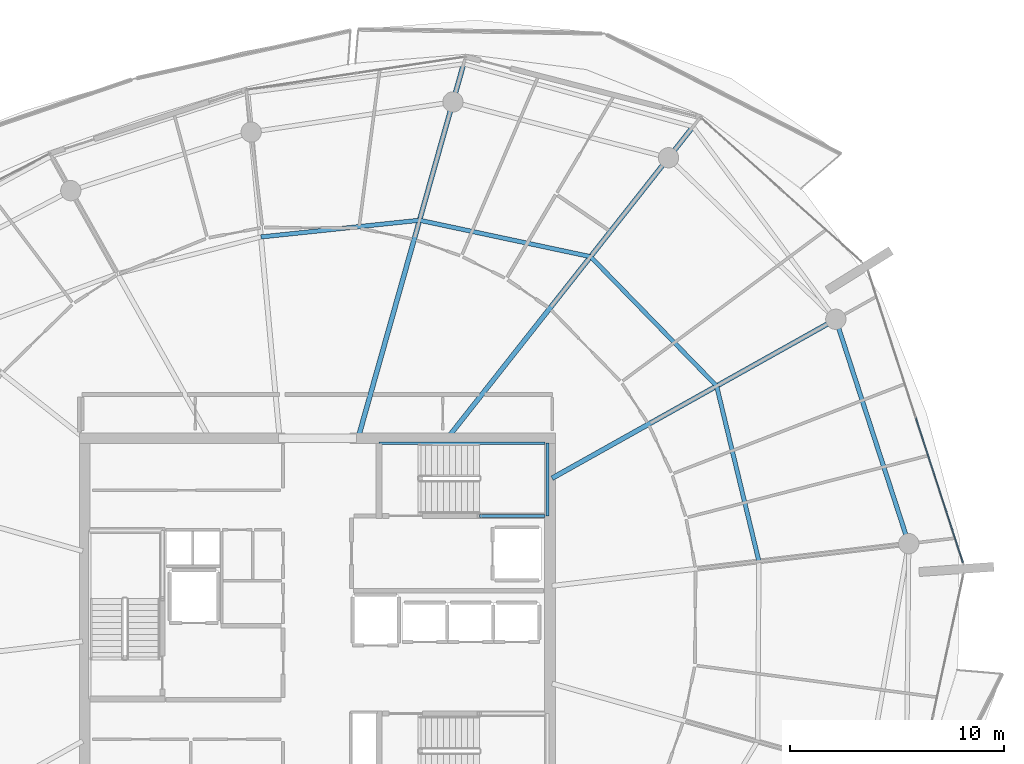
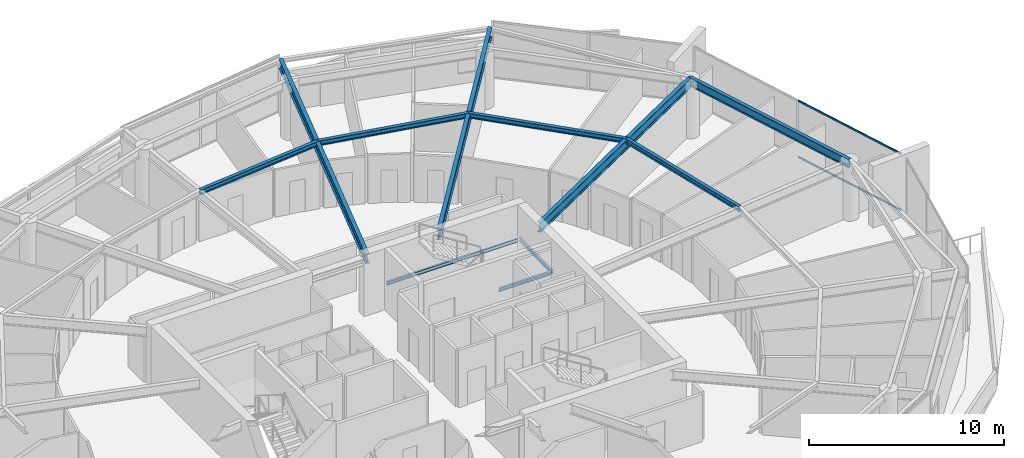
# One storey, part 14 of 30: 11 beams, 2 members, 1 element without a shape of its own.
"""IFC4 building model written with IfcOpenShell, lengths in metres."""

from ifc_helpers import new_model, si_unit, direction, frame, origin, origin_2d, place, context, subcontext, project, spatial, rectangle, i_section, extrude, material, layer, layer_set, material_profile, profile_set, type_object, element, aggregate, save


model = new_model("IFC4")

# Units and contexts
model_context = context("Model", 3, precision=1e-05, world=origin(), true_north=direction((0.0, 1.0)))
body_context = subcontext(model_context, "Body", "Model", "MODEL_VIEW")
ifc_project = project(units=[si_unit("LENGTHUNIT", "METRE"), si_unit("AREAUNIT", "SQUARE_METRE"), si_unit("VOLUMEUNIT", "CUBIC_METRE"), si_unit("PLANEANGLEUNIT", "RADIAN"), si_unit("MASSUNIT", "GRAM", prefix="KILO")], contexts=[model_context])

# Site, building, storey
site_placement = place(None, origin())
site = spatial("IfcSite", under=ifc_project, at=site_placement, CompositionType="ELEMENT")
building_placement = place(site_placement, origin())
building = spatial("IfcBuilding", under=site, at=building_placement, Name="Kazma Halo Residences", CompositionType="ELEMENT")
storey_placement = place(building_placement, frame((0.0, 0.0, 298.300048828125)))
storey = spatial("IfcBuildingStorey", under=building, at=storey_placement, Name="L75", CompositionType="ELEMENT", Elevation=298.300048828125)

# Beams
ifc_material_1 = material(Name="Steel S355", Category="steel")
ifc_material_profile_1 = material_profile(ifc_material_1, i_section(OverallWidth=0.22802734375, OverallDepth=0.60791015625, WebThickness=0.01123046875, FlangeThickness=0.017333984375, FilletRadius=0.01806640625, at=origin_2d()), Name="W610x113")
ifc_profile_set_1 = profile_set([ifc_material_profile_1], Name="Steel S355")
beam_type_1 = type_object("IfcBeamType", Name="BM-RAD-W610", PredefinedType="BEAM", material=ifc_profile_set_1)
beam_1_placement = place(storey_placement, frame((59.39990234375, 48.38427734375, 3.285888671875), z_axis=(0.872501636424, 0.488611189432, 0.0), x_axis=(-0.488611189432, 0.872501636424, 0.0)))
element("IfcBeam", 1, at=beam_1_placement, inside=storey, type_object=beam_type_1, Name="L75 radial floor beam 01", PredefinedType="BEAM", context=body_context, shape_type="SweptSolid", body=[
    extrude(i_section(OverallWidth=0.22802734375, OverallDepth=0.60791015625, WebThickness=0.01123046875, FlangeThickness=0.017333984375, FilletRadius=0.01806640625, at=origin_2d()), origin(), (0.0, 0.0, 1.0), 15.209716796875),
])
beam_2_placement = place(storey_placement, frame((54.58251953125, 50.35009765625, 3.285888671875), z_axis=(0.619094367176, 0.785316601461, 0.0), x_axis=(-0.785316601461, 0.619094367176, 0.0)))
element("IfcBeam", 2, at=beam_2_placement, inside=storey, type_object=beam_type_1, Name="L75 radial floor beam 02", PredefinedType="BEAM", context=body_context, shape_type="SweptSolid", body=[
    extrude(i_section(OverallWidth=0.22802734375, OverallDepth=0.60791015625, WebThickness=0.01123046875, FlangeThickness=0.017333984375, FilletRadius=0.01806640625, at=origin_2d()), origin(), (0.0, 0.0, 1.0), 18.429931640625),
])
beam_3_placement = place(storey_placement, frame((50.35498046875, 50.35009765625, 3.285888671875), z_axis=(0.271443175073, 0.962454467861, 0.0), x_axis=(-0.962454467861, 0.271443175073, 0.0)))
element("IfcBeam", 3, at=beam_3_placement, inside=storey, type_object=beam_type_1, Name="L75 radial floor beam 03", PredefinedType="BEAM", context=body_context, shape_type="SweptSolid", body=[
    extrude(i_section(OverallWidth=0.22802734375, OverallDepth=0.60791015625, WebThickness=0.01123046875, FlangeThickness=0.017333984375, FilletRadius=0.01806640625, at=origin_2d()), origin(), (0.0, 0.0, 1.0), 18.089111328125),
])
ifc_material_profile_2 = material_profile(ifc_material_1, i_section(OverallWidth=0.202880859375, OverallDepth=0.302978515625, WebThickness=0.007568359375, FlangeThickness=0.01318359375, FilletRadius=0.013916015625, at=origin_2d()), Name="W310x60")
ifc_profile_set_2 = profile_set([ifc_material_profile_2], Name="Steel S355")
beam_type_2 = type_object("IfcBeamType", Name="BM-SEC-W310A", PredefinedType="JOIST", material=ifc_profile_set_2)
beam_4_placement = place(storey_placement, frame((67.0966796875, 52.694580078125, 3.4384765625), z_axis=(-0.697959749995, 0.716136989261, 0.0), x_axis=(-0.716136989261, -0.697959749995, 0.0)))
element("IfcBeam", 4, at=beam_4_placement, inside=storey, type_object=beam_type_2, Name="L75 circumferential floor joist 01", PredefinedType="JOIST", context=body_context, shape_type="SweptSolid", body=[
    extrude(i_section(OverallWidth=0.202880859375, OverallDepth=0.302978515625, WebThickness=0.007568359375, FlangeThickness=0.01318359375, FilletRadius=0.013916015625, at=origin_2d()), origin(), (0.0, 0.0, 1.0), 8.4482421875),
])
beam_5_placement = place(storey_placement, frame((61.2001953125, 58.74462890625, 3.4384765625), z_axis=(-0.97806685939, 0.208291186956, 0.0), x_axis=(-0.208291186956, -0.97806685939, 0.0)))
element("IfcBeam", 5, at=beam_5_placement, inside=storey, type_object=beam_type_2, Name="L75 circumferential floor joist 02", PredefinedType="JOIST", context=body_context, shape_type="SweptSolid", body=[
    extrude(i_section(OverallWidth=0.202880859375, OverallDepth=0.302978515625, WebThickness=0.007568359375, FlangeThickness=0.01318359375, FilletRadius=0.013916015625, at=origin_2d()), origin(), (0.0, 0.0, 1.0), 8.1767578125),
])
beam_6_placement = place(storey_placement, frame((53.202880859375, 60.44775390625, 3.4384765625), z_axis=(-0.994500789339, -0.104729079076, 0.0), x_axis=(0.104729079076, -0.994500789339, 0.0)))
element("IfcBeam", 6, at=beam_6_placement, inside=storey, type_object=beam_type_2, Name="L75 circumferential floor joist 03", PredefinedType="JOIST", context=body_context, shape_type="SweptSolid", body=[
    extrude(i_section(OverallWidth=0.202880859375, OverallDepth=0.302978515625, WebThickness=0.007568359375, FlangeThickness=0.01318359375, FilletRadius=0.013916015625, at=origin_2d()), origin(), (0.0, 0.0, 1.0), 7.459716796875),
])
beam_7_placement = place(storey_placement, frame((69.07421875, 44.494384765625, 3.4384765625), z_axis=(-0.234436822548, 0.972131357499, 0.0), x_axis=(-0.972131357499, -0.234436822548, 0.0)))
element("IfcBeam", 7, at=beam_7_placement, inside=storey, type_object=beam_type_2, Name="L75 circumferential floor joist 16", PredefinedType="JOIST", context=body_context, shape_type="SweptSolid", body=[
    extrude(i_section(OverallWidth=0.202880859375, OverallDepth=0.302978515625, WebThickness=0.007568359375, FlangeThickness=0.01318359375, FilletRadius=0.013916015625, at=origin_2d()), origin(), (0.0, 0.0, 1.0), 8.435302734375),
])
ifc_material_profile_3 = material_profile(ifc_material_1, i_section(OverallWidth=0.208984375, OverallDepth=0.532958984375, WebThickness=0.01025390625, FlangeThickness=0.015625, FilletRadius=0.01611328125, at=origin_2d()), Name="W530x92")
ifc_profile_set_3 = profile_set([ifc_material_profile_3], Name="Steel S355")
beam_type_3 = type_object("IfcBeamType", Name="BM-SPN-W530", PredefinedType="BEAM", material=ifc_profile_set_3)
beam_8_placement = place(storey_placement, frame((76.07958984375, 45.323486328125, 3.323486328125), z_axis=(-0.309015517474, 0.951056996168, 0.0), x_axis=(-0.951056996168, -0.309015517474, 0.0)))
element("IfcBeam", 8, at=beam_8_placement, inside=storey, type_object=beam_type_3, Name="L75 perimeter ring beam 16", PredefinedType="BEAM", context=body_context, shape_type="SweptSolid", body=[
    extrude(i_section(OverallWidth=0.208984375, OverallDepth=0.532958984375, WebThickness=0.01025390625, FlangeThickness=0.015625, FilletRadius=0.01611328125, at=origin_2d()), origin(), (0.0, 0.0, 1.0), 11.032470703125),
])
ifc_material_profile_4 = material_profile(ifc_material_1, i_section(OverallWidth=0.133056640625, OverallDepth=0.20703125, WebThickness=0.005859375, FlangeThickness=0.00830078125, FilletRadius=0.010009765625, at=origin_2d()), Name="W200x26.6")
ifc_profile_set_4 = profile_set([ifc_material_profile_4], Name="Steel S355")
beam_type_4 = type_object("IfcBeamType", Name="BM-TRIM-W200", PredefinedType="BEAM", material=ifc_profile_set_4)
beam_9_placement = place(storey_placement, frame((51.31005859375, 50.02001953125, 1.619873046875), z_axis=(1.0, 0.0, 0.0), x_axis=(0.0, 1.0, 0.0)))
element("IfcBeam", 9, at=beam_9_placement, inside=storey, type_object=beam_type_4, Name="L75 ST-02 landing north wall ledger", PredefinedType="BEAM", context=body_context, shape_type="SweptSolid", body=[
    extrude(i_section(OverallWidth=0.133056640625, OverallDepth=0.20703125, WebThickness=0.005859375, FlangeThickness=0.00830078125, FilletRadius=0.010009765625, at=origin_2d()), origin(), (0.0, 0.0, 1.0), 7.760009765625),
])
beam_10_placement = place(storey_placement, frame((56.0, 46.6201171875, 1.619873046875), z_axis=(1.0, 0.0, 0.0), x_axis=(0.0, 1.0, 0.0)))
element("IfcBeam", 10, at=beam_10_placement, inside=storey, type_object=beam_type_4, Name="L75 ST-02 landing south wall ledger", PredefinedType="BEAM", context=body_context, shape_type="SweptSolid", body=[
    extrude(i_section(OverallWidth=0.133056640625, OverallDepth=0.20703125, WebThickness=0.005859375, FlangeThickness=0.00830078125, FilletRadius=0.010009765625, at=origin_2d()), origin(), (0.0, 0.0, 1.0), 3.070068359375),
])
beam_11_placement = place(storey_placement, frame((59.18994140625, 46.6201171875, 1.619873046875), z_axis=(0.0, 1.0, 0.0), x_axis=(-1.0, 0.0, 0.0)))
element("IfcBeam", 11, at=beam_11_placement, inside=storey, type_object=beam_type_4, Name="L75 ST-02 landing end wall ledger", PredefinedType="BEAM", context=body_context, shape_type="SweptSolid", body=[
    extrude(i_section(OverallWidth=0.133056640625, OverallDepth=0.20703125, WebThickness=0.005859375, FlangeThickness=0.00830078125, FilletRadius=0.010009765625, at=origin_2d()), origin(), (0.0, 0.0, 1.0), 3.39990234375),
])

# Curtain wall, members
ifc_material_2 = material(Name="Aluminium AW-6063 T6 and Triple-Silver Low-E Glass", Category="aluminium")
ifc_layer = layer(ifc_material_2, 0.139892578125)
ifc_layer_set = layer_set([ifc_layer], Name="Aluminium AW-6063 T6 and Triple-Silver Low-E Glass")
curtain_wall_type = type_object("IfcCurtainWallType", Name="CW-SYS-5", PredefinedType="NOTDEFINED", material=ifc_layer_set)
curtain_wall_placement = place(storey_placement, origin())
curtain_wall = element("IfcCurtainWall", 12, at=curtain_wall_placement, inside=storey, type_object=curtain_wall_type, Name="L75 unitised curtain wall B16", PredefinedType="NOTDEFINED")
ifc_material_3 = material(Name="Aluminium AW-6063 T6", Category="aluminium")
ifc_material_profile_5 = material_profile(ifc_material_3, rectangle(XDim=0.06005859375, YDim=0.10498046875, at=origin_2d()), Name="CWT-60x105")
ifc_profile_set_5 = profile_set([ifc_material_profile_5], Name="Aluminium AW-6063 T6")
member_type = type_object("IfcMemberType", Name="CW-SYS-5-TRN", PredefinedType="USERDEFINED", material=ifc_profile_set_5)
member_1_placement = place(storey_placement, frame((78.613525390625, 44.44091796875, 0.030029296875), z_axis=(-0.308995987448, 0.951063341603, 0.0), x_axis=(-0.951063341603, -0.308995987448, 0.0)))
member_1 = element("IfcMember", 13, at=member_1_placement, type_object=member_type, Name="CWS-5 transom 1.1", ObjectType="TRANSOM", PredefinedType="USERDEFINED", context=body_context, shape_type="SweptSolid", body=[
    extrude(rectangle(XDim=0.06005859375, YDim=0.10498046875, at=origin_2d()), origin(), (0.0, 0.0, 1.0), 7.108642578125),
])
member_2_placement = place(storey_placement, frame((78.613525390625, 44.44091796875, 3.56005859375), z_axis=(-0.308995987448, 0.951063341603, 0.0), x_axis=(-0.951063341603, -0.308995987448, 0.0)))
member_2 = element("IfcMember", 14, at=member_2_placement, type_object=member_type, Name="CWS-5 transom 1.2", ObjectType="TRANSOM", PredefinedType="USERDEFINED", context=body_context, shape_type="SweptSolid", body=[
    extrude(rectangle(XDim=0.06005859375, YDim=0.10498046875, at=origin_2d()), origin(), (0.0, 0.0, 1.0), 7.108642578125),
])
aggregate(curtain_wall, [member_1, member_2])

save(model, "model.ifc")
